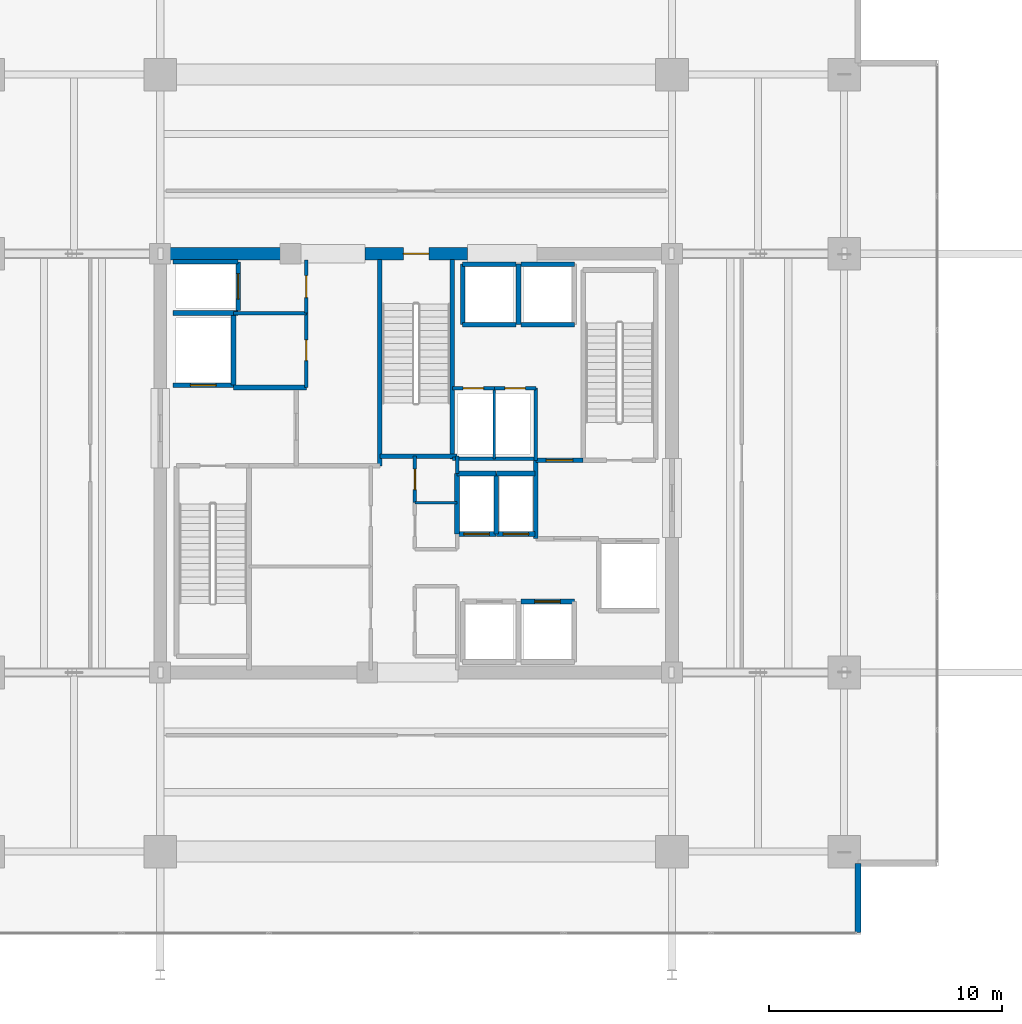
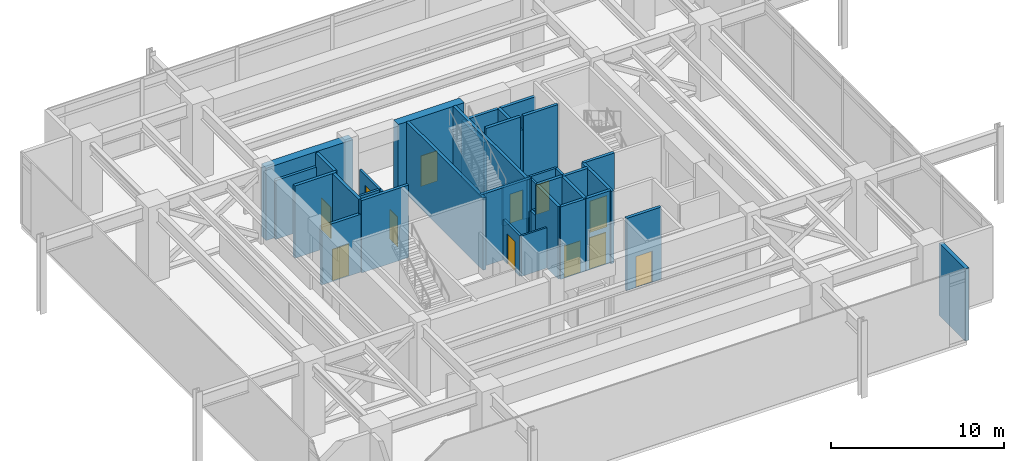
# One storey, part 19 of 21: 38 walls, 12 doors, 12 openings.
"""IFC4 building model written with IfcOpenShell, lengths in metres."""

from ifc_helpers import new_model, si_unit, direction, frame, frame_2d, origin, place, context, subcontext, project, spatial, rectangle, extrude, material, layer, layer_set, type_object, element, fill, save


model = new_model("IFC4")

# Units and contexts
model_context = context("Model", 3, precision=1e-05, world=origin(), true_north=direction((0.0, 1.0)))
body_context = subcontext(model_context, "Body", "Model", "MODEL_VIEW")
ifc_project = project(units=[si_unit("LENGTHUNIT", "METRE"), si_unit("AREAUNIT", "SQUARE_METRE"), si_unit("VOLUMEUNIT", "CUBIC_METRE"), si_unit("PLANEANGLEUNIT", "RADIAN"), si_unit("MASSUNIT", "GRAM", prefix="KILO")], contexts=[model_context])

# Site, building, storey
site_placement = place(None, origin())
site = spatial("IfcSite", under=ifc_project, at=site_placement, CompositionType="ELEMENT")
building_placement = place(site_placement, origin())
building = spatial("IfcBuilding", under=site, at=building_placement, Name="Kovane Verandah Tower", CompositionType="ELEMENT")
storey_placement = place(building_placement, frame((0.0, 0.0, 189.39990234375)))
storey = spatial("IfcBuildingStorey", under=building, at=storey_placement, Name="L44", CompositionType="ELEMENT", Elevation=189.39990234375)

# Wall
ifc_material_1 = material(Name="Fire-Rated Gypsum Stud Partition", Category="gypsum")
ifc_layer_1 = layer(ifc_material_1, 0.14990234375)
ifc_layer_set_1 = layer_set([ifc_layer_1], Name="Fire-Rated Gypsum Stud Partition")
wall_type_1 = type_object("IfcWallType", Name="WL-COR-150", PredefinedType="PARTITIONING", material=ifc_layer_set_1)
wall_1_placement = place(storey_placement, frame((41.760009765625, 27.050048828125, 0.0), z_axis=(0.0, 0.0, 1.0), x_axis=(0.0, 1.0, 0.0)))
element("IfcWall", 1, at=wall_1_placement, inside=storey, type_object=wall_type_1, Name="L44 Central Core Strip Upper East Wall", PredefinedType="PARTITIONING", context=body_context, shape_type="SweptSolid", body=[
    extrude(rectangle(XDim=0.75, YDim=0.14990234375, at=frame_2d((0.375, 0.0))), origin(), (0.0, 0.0, 1.0), 2.85009765625),
])

# Wall, opening, door
wall_2_placement = place(storey_placement, frame((39.949951171875, 25.800048828125, 0.0), z_axis=(0.0, 0.0, 1.0), x_axis=(0.0, 1.0, 0.0)))
wall_2 = element("IfcWall", 2, at=wall_2_placement, inside=storey, type_object=wall_type_1, Name="L44 Electrical Riser Room Partition", PredefinedType="PARTITIONING", context=body_context, shape_type="SweptSolid", body=[
    extrude(rectangle(XDim=2.0, YDim=0.14990234375, at=frame_2d((1.0, 0.0))), origin(), (0.0, 0.0, 1.0), 2.85009765625),
])
opening_1_placement = place(wall_2_placement, frame((0.56005859375, 0.0, 0.0)))
opening_1 = element("IfcOpeningElement", 3, at=opening_1_placement, cuts=wall_2, Name="Opening DR-L44-017", PredefinedType="OPENING", context=body_context, shape_type="SweptSolid", body=[
    extrude(rectangle(XDim=0.8798828125, YDim=2.10009765625, at=frame_2d((0.43994140625, 1.050048828125))), frame((0.0, 0.074951171875, 0.0), z_axis=(0.0, -1.0, 0.0), x_axis=(1.0, 0.0, 0.0)), (0.0, 0.0, 1.0), 0.14990234375),
])
ifc_material_2 = material(Name="Fire-Rated Steel Riser Access Door", Category="steel")
door_type_1 = type_object("IfcDoorType", Name="DR-RISER-880", OperationType="SINGLE_SWING_LEFT", PredefinedType="DOOR", material=ifc_material_2)
door_1_placement = place(opening_1_placement, origin())
door_1 = element("IfcDoor", 4, at=door_1_placement, inside=storey, type_object=door_type_1, Name="L44 Electrical Riser Room Door", OperationType="SINGLE_SWING_RIGHT", OverallHeight=2.10009765625, OverallWidth=0.8798828125, PredefinedType="DOOR", context=body_context, shape_type="SweptSolid", body=[
    extrude(rectangle(XDim=0.8798828125, YDim=2.10009765625, at=frame_2d((0.43994140625, 1.050048828125))), frame((0.0, 0.02490234375, 0.0), z_axis=(0.0, -1.0, 0.0), x_axis=(1.0, 0.0, 0.0)), (0.0, 0.0, 1.0), 0.050048828125),
])
fill(opening_1, door_1)

# Wall
wall_3_placement = place(storey_placement, frame((32.14990234375, 33.949951171875, 0.0), z_axis=(0.0, 0.0, 1.0), x_axis=(1.0, 0.0, 0.0)))
element("IfcWall", 5, at=wall_3_placement, inside=storey, type_object=wall_type_1, Name="L44 Goods Lift Lobby South Wall", PredefinedType="PARTITIONING", context=body_context, shape_type="SweptSolid", body=[
    extrude(rectangle(XDim=3.130126953125, YDim=0.14990234375, at=frame_2d((1.56494140625, 0.0))), origin(), (0.0, 0.0, 1.0), 2.85009765625),
])

# Wall, opening, door
wall_4_placement = place(storey_placement, frame((35.280029296875, 33.949951171875, 0.0), z_axis=(0.0, 0.0, 1.0), x_axis=(0.0, 1.0, 0.0)))
wall_4 = element("IfcWall", 6, at=wall_4_placement, inside=storey, type_object=wall_type_1, Name="L44 Goods Lift Lobby East Fire Partition", PredefinedType="PARTITIONING", context=body_context, shape_type="SweptSolid", body=[
    extrude(rectangle(XDim=2.27001953125, YDim=0.14990234375, at=frame_2d((1.135009765625, 0.0))), origin(), (0.0, 0.0, 1.0), 2.85009765625),
])
opening_2_placement = place(wall_4_placement, frame((0.659912109375, 0.0, 0.0)))
opening_2 = element("IfcOpeningElement", 7, at=opening_2_placement, cuts=wall_4, Name="Opening DR-L44-006", PredefinedType="OPENING", context=body_context, shape_type="SweptSolid", body=[
    extrude(rectangle(XDim=0.949951171875, YDim=2.14990234375, at=frame_2d((0.47509765625, 1.074951171875))), frame((0.0, 0.074951171875, 0.0), z_axis=(0.0, -1.0, 0.0), x_axis=(1.0, 0.0, 0.0)), (0.0, 0.0, 1.0), 0.14990234375),
])
ifc_material_3 = material(Name="Fire-Rated Steel Refuge and Lobby Door", Category="steel")
door_type_2 = type_object("IfcDoorType", Name="DR-FIRE-950", OperationType="SINGLE_SWING_LEFT", PredefinedType="DOOR", material=ifc_material_3)
door_2_placement = place(opening_2_placement, origin())
door_2 = element("IfcDoor", 8, at=door_2_placement, inside=storey, type_object=door_type_2, Name="L44 Goods Lift Lobby Fire Door", OperationType="SINGLE_SWING_LEFT", OverallHeight=2.14990234375, OverallWidth=0.949951171875, PredefinedType="DOOR", context=body_context, shape_type="SweptSolid", body=[
    extrude(rectangle(XDim=0.949951171875, YDim=2.14990234375, at=frame_2d((0.47509765625, 1.074951171875))), frame((0.0, 0.02490234375, 0.0), z_axis=(0.0, -1.0, 0.0), x_axis=(1.0, 0.0, 0.0)), (0.0, 0.0, 1.0), 0.050048828125),
])
fill(opening_2, door_2)

wall_5_placement = place(storey_placement, frame((35.280029296875, 30.75, 0.0), z_axis=(0.0, 0.0, 1.0), x_axis=(0.0, 1.0, 0.0)))
wall_5 = element("IfcWall", 9, at=wall_5_placement, inside=storey, type_object=wall_type_1, Name="L44 Accessible Unisex Toilet Partition", PredefinedType="PARTITIONING", context=body_context, shape_type="SweptSolid", body=[
    extrude(rectangle(XDim=3.199951171875, YDim=0.14990234375, at=frame_2d((1.60009765625, 0.0))), origin(), (0.0, 0.0, 1.0), 2.85009765625),
])
opening_3_placement = place(wall_5_placement, frame((1.14990234375, 0.0, 0.0)))
opening_3 = element("IfcOpeningElement", 10, at=opening_3_placement, cuts=wall_5, Name="Opening DR-L44-019", PredefinedType="OPENING", context=body_context, shape_type="SweptSolid", body=[
    extrude(rectangle(XDim=0.89990234375, YDim=2.10009765625, at=frame_2d((0.449951171875, 1.050048828125))), frame((0.0, 0.074951171875, 0.0), z_axis=(0.0, -1.0, 0.0), x_axis=(1.0, 0.0, 0.0)), (0.0, 0.0, 1.0), 0.14990234375),
])
ifc_material_4 = material(Name="Moisture-Resistant Laminate Washroom Door", Category="wood")
door_type_3 = type_object("IfcDoorType", Name="DR-WC-900", OperationType="SINGLE_SWING_LEFT", PredefinedType="DOOR", material=ifc_material_4)
door_3_placement = place(opening_3_placement, origin())
door_3 = element("IfcDoor", 11, at=door_3_placement, inside=storey, type_object=door_type_3, Name="L44 Accessible Unisex Toilet Door", OperationType="SINGLE_SWING_RIGHT", OverallHeight=2.10009765625, OverallWidth=0.89990234375, PredefinedType="DOOR", context=body_context, shape_type="SweptSolid", body=[
    extrude(rectangle(XDim=0.89990234375, YDim=2.10009765625, at=frame_2d((0.449951171875, 1.050048828125))), frame((0.0, 0.02490234375, 0.0), z_axis=(0.0, -1.0, 0.0), x_axis=(1.0, 0.0, 0.0)), (0.0, 0.0, 1.0), 0.050048828125),
])
fill(opening_3, door_3)

# Walls
wall_6_placement = place(storey_placement, frame((41.56005859375, 27.679931640625, 0.0), z_axis=(0.0, 0.0, 1.0), x_axis=(1.0, 0.0, 0.0)))
element("IfcWall", 12, at=wall_6_placement, inside=storey, type_object=wall_type_1, Name="L44 East Core Service Riser South Wall", PredefinedType="PARTITIONING", context=body_context, shape_type="SweptSolid", body=[
    extrude(rectangle(XDim=3.58984375, YDim=0.14990234375, at=frame_2d((1.794921875, 0.0))), origin(), (0.0, 0.0, 1.0), 2.85009765625),
])
wall_7_placement = place(storey_placement, frame((45.14990234375, 27.6201171875, 0.0), z_axis=(0.0, 0.0, 1.0), x_axis=(0.0, 1.0, 0.0)))
element("IfcWall", 13, at=wall_7_placement, inside=storey, type_object=wall_type_1, Name="L44 East Core Service Riser East Wall", PredefinedType="PARTITIONING", context=body_context, shape_type="SweptSolid", body=[
    extrude(rectangle(XDim=3.099853515625, YDim=0.14990234375, at=frame_2d((1.5498046875, 0.0))), origin(), (0.0, 0.0, 1.0), 2.85009765625),
])

# Wall, opening, door
wall_8_placement = place(storey_placement, frame((41.56005859375, 30.719970703125, 0.0), z_axis=(0.0, 0.0, 1.0), x_axis=(1.0, 0.0, 0.0)))
wall_8 = element("IfcWall", 14, at=wall_8_placement, inside=storey, type_object=wall_type_1, Name="L44 Chilled Water Riser Room Partition", PredefinedType="PARTITIONING", context=body_context, shape_type="SweptSolid", body=[
    extrude(rectangle(XDim=1.800048828125, YDim=0.14990234375, at=frame_2d((0.89990234375, 0.0))), origin(), (0.0, 0.0, 1.0), 2.85009765625),
])
opening_4_placement = place(wall_8_placement, frame((0.4599609375, 0.0, 0.0)))
opening_4 = element("IfcOpeningElement", 15, at=opening_4_placement, cuts=wall_8, Name="Opening DR-L44-013", PredefinedType="OPENING", context=body_context, shape_type="SweptSolid", body=[
    extrude(rectangle(XDim=0.8798828125, YDim=2.10009765625, at=frame_2d((0.43994140625, 1.050048828125))), frame((0.0, 0.074951171875, 0.0), z_axis=(0.0, -1.0, 0.0), x_axis=(1.0, 0.0, 0.0)), (0.0, 0.0, 1.0), 0.14990234375),
])
door_4_placement = place(opening_4_placement, origin())
door_4 = element("IfcDoor", 16, at=door_4_placement, inside=storey, type_object=door_type_1, Name="L44 Chilled Water Riser Room Door", OperationType="SINGLE_SWING_LEFT", OverallHeight=2.10009765625, OverallWidth=0.8798828125, PredefinedType="DOOR", context=body_context, shape_type="SweptSolid", body=[
    extrude(rectangle(XDim=0.8798828125, YDim=2.10009765625, at=frame_2d((0.43994140625, 1.050048828125))), frame((0.0, 0.02490234375, 0.0), z_axis=(0.0, -1.0, 0.0), x_axis=(1.0, 0.0, 0.0)), (0.0, 0.0, 1.0), 0.050048828125),
])
fill(opening_4, door_4)

wall_9_placement = place(storey_placement, frame((43.360107421875, 30.719970703125, 0.0), z_axis=(0.0, 0.0, 1.0), x_axis=(1.0, 0.0, 0.0)))
wall_9 = element("IfcWall", 17, at=wall_9_placement, inside=storey, type_object=wall_type_1, Name="L44 Smoke Extract Duct Room Partition", PredefinedType="PARTITIONING", context=body_context, shape_type="SweptSolid", body=[
    extrude(rectangle(XDim=1.789794921875, YDim=0.14990234375, at=frame_2d((0.89501953125, 0.0))), origin(), (0.0, 0.0, 1.0), 2.85009765625),
])
opening_5_placement = place(wall_9_placement, frame((0.455078125, 0.0, 0.0)))
opening_5 = element("IfcOpeningElement", 18, at=opening_5_placement, cuts=wall_9, Name="Opening DR-L44-014", PredefinedType="OPENING", context=body_context, shape_type="SweptSolid", body=[
    extrude(rectangle(XDim=0.8798828125, YDim=2.10009765625, at=frame_2d((0.43994140625, 1.050048828125))), frame((0.0, 0.074951171875, 0.0), z_axis=(0.0, -1.0, 0.0), x_axis=(1.0, 0.0, 0.0)), (0.0, 0.0, 1.0), 0.14990234375),
])
door_5_placement = place(opening_5_placement, origin())
door_5 = element("IfcDoor", 19, at=door_5_placement, inside=storey, type_object=door_type_1, Name="L44 Smoke Extract Duct Room Door", OperationType="SINGLE_SWING_RIGHT", OverallHeight=2.10009765625, OverallWidth=0.8798828125, PredefinedType="DOOR", context=body_context, shape_type="SweptSolid", body=[
    extrude(rectangle(XDim=0.8798828125, YDim=2.10009765625, at=frame_2d((0.43994140625, 1.050048828125))), frame((0.0, 0.02490234375, 0.0), z_axis=(0.0, -1.0, 0.0), x_axis=(1.0, 0.0, 0.0)), (0.0, 0.0, 1.0), 0.050048828125),
])
fill(opening_5, door_5)

# Wall
ifc_material_5 = material(Name="Concrete C60/75", Category="concrete")
ifc_layer_2 = layer(ifc_material_5, 0.550048828125)
ifc_layer_set_2 = layer_set([ifc_layer_2], Name="Concrete C60/75")
wall_type_2 = type_object("IfcWallType", Name="WL-CORE-550", PredefinedType="SHEAR", material=ifc_layer_set_2)
wall_10_placement = place(storey_placement, frame((29.0, 36.5, 0.0), z_axis=(0.0, 0.0, 1.0), x_axis=(1.0, 0.0, 0.0)))
element("IfcWall", 20, at=wall_10_placement, inside=storey, type_object=wall_type_2, Name="L44 Core Shear Wall CN-1", PredefinedType="SHEAR", context=body_context, shape_type="SweptSolid", body=[
    extrude(rectangle(XDim=5.800048828125, YDim=0.550048828125, at=frame_2d((2.89990234375, 0.0))), origin(), (0.0, 0.0, 1.0), 5.10009765625),
])

# Wall, opening, door
wall_11_placement = place(storey_placement, frame((37.800048828125, 36.5, 0.0), z_axis=(0.0, 0.0, 1.0), x_axis=(1.0, 0.0, 0.0)))
wall_11 = element("IfcWall", 21, at=wall_11_placement, inside=storey, type_object=wall_type_2, Name="L44 Core Shear Wall CN-2", PredefinedType="SHEAR", context=body_context, shape_type="SweptSolid", body=[
    extrude(rectangle(XDim=4.39990234375, YDim=0.550048828125, at=frame_2d((2.199951171875, 0.0))), origin(), (0.0, 0.0, 1.0), 5.10009765625),
])
opening_6_placement = place(wall_11_placement, frame((1.64990234375, 0.0, 0.0)))
opening_6 = element("IfcOpeningElement", 22, at=opening_6_placement, cuts=wall_11, Name="Opening DR-L44-009", PredefinedType="OPENING", context=body_context, shape_type="SweptSolid", body=[
    extrude(rectangle(XDim=1.10009765625, YDim=2.14990234375, at=frame_2d((0.550048828125, 1.074951171875))), frame((0.0, 0.27490234375, 0.0), z_axis=(0.0, -1.0, 0.0), x_axis=(1.0, 0.0, 0.0)), (0.0, 0.0, 1.0), 0.550048828125),
])
ifc_material_6 = material(Name="Fire-Rated Steel Exit Door", Category="steel")
door_type_4 = type_object("IfcDoorType", Name="DR-STAIR-1100", OperationType="SINGLE_SWING_LEFT", PredefinedType="DOOR", material=ifc_material_6)
door_6_placement = place(opening_6_placement, origin())
door_6 = element("IfcDoor", 23, at=door_6_placement, inside=storey, type_object=door_type_4, Name="L44 ST-03 Fire Exit Stair Door", OperationType="SINGLE_SWING_LEFT", OverallHeight=2.14990234375, OverallWidth=1.10009765625, PredefinedType="DOOR", context=body_context, shape_type="SweptSolid", body=[
    extrude(rectangle(XDim=1.10009765625, YDim=2.14990234375, at=frame_2d((0.550048828125, 1.074951171875))), frame((0.0, 0.02490234375, 0.0), z_axis=(0.0, -1.0, 0.0), x_axis=(1.0, 0.0, 0.0)), (0.0, 0.0, 1.0), 0.050048828125),
])
fill(opening_6, door_6)

# Walls
ifc_material_7 = material(Name="Concrete C45/55 Fire Wall", Category="concrete")
ifc_layer_3 = layer(ifc_material_7, 0.199951171875)
ifc_layer_set_3 = layer_set([ifc_layer_3], Name="Concrete C45/55 Fire Wall")
wall_type_3 = type_object("IfcWallType", Name="WL-FFL-200", PredefinedType="PARTITIONING", material=ifc_layer_set_3)
wall_12_placement = place(storey_placement, frame((32.14990234375, 30.75, 0.0), z_axis=(0.0, 0.0, 1.0), x_axis=(1.0, 0.0, 0.0)))
element("IfcWall", 24, at=wall_12_placement, inside=storey, type_object=wall_type_3, Name="L44 West Firefighting Lobby North Fire Wall", PredefinedType="PARTITIONING", context=body_context, shape_type="SweptSolid", body=[
    extrude(rectangle(XDim=3.130126953125, YDim=0.199951171875, at=frame_2d((1.56494140625, 0.0))), origin(), (0.0, 0.0, 1.0), 5.10009765625),
])
wall_13_placement = place(storey_placement, frame((45.14990234375, 24.25, 0.0), z_axis=(0.0, 0.0, 1.0), x_axis=(0.0, 1.0, 0.0)))
element("IfcWall", 25, at=wall_13_placement, inside=storey, type_object=wall_type_3, Name="L44 East Firefighting Lobby West Fire Wall", PredefinedType="PARTITIONING", context=body_context, shape_type="SweptSolid", body=[
    extrude(rectangle(XDim=3.3701171875, YDim=0.199951171875, at=frame_2d((1.68505859375, 0.0))), origin(), (0.0, 0.0, 1.0), 5.10009765625),
])

# Wall, opening, door
wall_14_placement = place(storey_placement, frame((45.14990234375, 27.6201171875, 0.0), z_axis=(0.0, 0.0, 1.0), x_axis=(1.0, 0.0, 0.0)))
wall_14 = element("IfcWall", 26, at=wall_14_placement, inside=storey, type_object=wall_type_3, Name="W-L44-FFLE-N", PredefinedType="PARTITIONING", context=body_context, shape_type="SweptSolid", body=[
    extrude(rectangle(XDim=2.030029296875, YDim=0.199951171875, at=frame_2d((1.01513671875, 0.0))), origin(), (0.0, 0.0, 1.0), 5.10009765625),
])
opening_7_placement = place(wall_14_placement, frame((0.43994140625, 0.0, 0.0)))
opening_7 = element("IfcOpeningElement", 27, at=opening_7_placement, cuts=wall_14, Name="Opening DR-L44-002", PredefinedType="OPENING", context=body_context, shape_type="SweptSolid", body=[
    extrude(rectangle(XDim=1.14990234375, YDim=2.199951171875, at=frame_2d((0.574951171875, 1.10009765625))), frame((0.0, 0.10009765625, 0.0), z_axis=(0.0, -1.0, 0.0), x_axis=(1.0, 0.0, 0.0)), (0.0, 0.0, 1.0), 0.199951171875),
])
ifc_material_8 = material(Name="Smoke-Sealed Firefighting Lobby Door", Category="steel")
door_type_5 = type_object("IfcDoorType", Name="DR-FFL-1150", OperationType="SINGLE_SWING_LEFT", PredefinedType="DOOR", material=ifc_material_8)
door_7_placement = place(opening_7_placement, origin())
door_7 = element("IfcDoor", 28, at=door_7_placement, inside=storey, type_object=door_type_5, Name="L44 East Firefighting Lobby Shuttle Link Door", OperationType="SINGLE_SWING_LEFT", OverallHeight=2.199951171875, OverallWidth=1.14990234375, PredefinedType="DOOR", context=body_context, shape_type="SweptSolid", body=[
    extrude(rectangle(XDim=1.14990234375, YDim=2.199951171875, at=frame_2d((0.574951171875, 1.10009765625))), frame((0.0, 0.02490234375, 0.0), z_axis=(0.0, -1.0, 0.0), x_axis=(1.0, 0.0, 0.0)), (0.0, 0.0, 1.0), 0.050048828125),
])
fill(opening_7, door_7)

ifc_material_9 = material(Name="Concrete C45/55 Lift Shaft Wall", Category="concrete")
ifc_layer_4 = layer(ifc_material_9, 0.199951171875)
ifc_layer_set_4 = layer_set([ifc_layer_4], Name="Concrete C45/55 Lift Shaft Wall")
wall_type_4 = type_object("IfcWallType", Name="WL-LIFT-200", PredefinedType="SOLIDWALL", material=ifc_layer_set_4)
wall_15_placement = place(storey_placement, frame((29.550048828125, 30.85009765625, 0.0), z_axis=(0.0, 0.0, 1.0), x_axis=(1.0, 0.0, 0.0)))
wall_15 = element("IfcWall", 29, at=wall_15_placement, inside=storey, type_object=wall_type_4, Name="L44 Lift FL-01 S Shaft Wall", PredefinedType="SOLIDWALL", context=body_context, shape_type="SweptSolid", body=[
    extrude(rectangle(XDim=2.599853515625, YDim=0.199951171875, at=frame_2d((1.2998046875, 0.0))), origin(), (0.0, 0.0, 1.0), 4.080078125),
])
opening_8_placement = place(wall_15_placement, frame((0.75, 0.0, 0.0)))
opening_8 = element("IfcOpeningElement", 30, at=opening_8_placement, cuts=wall_15, Name="Opening LD-L44-001", PredefinedType="OPENING", context=body_context, shape_type="SweptSolid", body=[
    extrude(rectangle(XDim=1.10009765625, YDim=2.199951171875, at=frame_2d((0.550048828125, 1.10009765625))), frame((0.0, 0.10009765625, 0.0), z_axis=(0.0, -1.0, 0.0), x_axis=(1.0, 0.0, 0.0)), (0.0, 0.0, 1.0), 0.199951171875),
])
ifc_material_10 = material(Name="Brushed Stainless Steel Sliding Lift Landing Door", Category="steel")
door_type_6 = type_object("IfcDoorType", Name="DR-LIFT-1100", OperationType="SLIDING_TO_RIGHT", PredefinedType="DOOR", material=ifc_material_10)
door_8_placement = place(opening_8_placement, origin())
door_8 = element("IfcDoor", 31, at=door_8_placement, inside=storey, type_object=door_type_6, Name="L44 Lift FL-01 Sliding Landing Door", OperationType="SLIDING_TO_RIGHT", OverallHeight=2.199951171875, OverallWidth=1.10009765625, PredefinedType="DOOR", context=body_context, shape_type="SweptSolid", body=[
    extrude(rectangle(XDim=1.10009765625, YDim=2.199951171875, at=frame_2d((0.550048828125, 1.10009765625))), frame((0.0, 0.02490234375, 0.0), z_axis=(0.0, -1.0, 0.0), x_axis=(1.0, 0.0, 0.0)), (0.0, 0.0, 1.0), 0.050048828125),
])
fill(opening_8, door_8)

# Walls
wall_16_placement = place(storey_placement, frame((29.550048828125, 33.949951171875, 0.0), z_axis=(0.0, 0.0, 1.0), x_axis=(1.0, 0.0, 0.0)))
element("IfcWall", 32, at=wall_16_placement, inside=storey, type_object=wall_type_4, Name="L44 Lift FL-01 and GL-01 Shared Shaft Wall", PredefinedType="SOLIDWALL", context=body_context, shape_type="SweptSolid", body=[
    extrude(rectangle(XDim=2.800048828125, YDim=0.199951171875, at=frame_2d((1.39990234375, 0.0))), origin(), (0.0, 0.0, 1.0), 5.10009765625),
])
wall_17_placement = place(storey_placement, frame((32.14990234375, 30.85009765625, 0.0), z_axis=(0.0, 0.0, 1.0), x_axis=(0.0, 1.0, 0.0)))
element("IfcWall", 33, at=wall_17_placement, inside=storey, type_object=wall_type_4, Name="L44 Lift FL-01 E Shaft Wall", PredefinedType="SOLIDWALL", context=body_context, shape_type="SweptSolid", body=[
    extrude(rectangle(XDim=3.0, YDim=0.199951171875, at=frame_2d((1.5, 0.0))), origin(), (0.0, 0.0, 1.0), 5.10009765625),
])
wall_18_placement = place(storey_placement, frame((32.35009765625, 36.14990234375, 0.0), z_axis=(0.0, 0.0, 1.0), x_axis=(-1.0, 0.0, 0.0)))
element("IfcWall", 34, at=wall_18_placement, inside=storey, type_object=wall_type_4, Name="L44 Lift GL-01 N Shaft Wall", PredefinedType="SOLIDWALL", context=body_context, shape_type="SweptSolid", body=[
    extrude(rectangle(XDim=2.800048828125, YDim=0.199951171875, at=frame_2d((1.39990234375, 0.0))), origin(), (0.0, 0.0, 1.0), 4.153564453125),
])

# Wall, opening, door
wall_19_placement = place(storey_placement, frame((32.35009765625, 34.050048828125, 0.0), z_axis=(0.0, 0.0, 1.0), x_axis=(0.0, 1.0, 0.0)))
wall_19 = element("IfcWall", 35, at=wall_19_placement, inside=storey, type_object=wall_type_4, Name="L44 Lift GL-01 E Shaft Wall", PredefinedType="SOLIDWALL", context=body_context, shape_type="SweptSolid", body=[
    extrude(rectangle(XDim=2.099853515625, YDim=0.199951171875, at=frame_2d((1.0498046875, 0.0))), origin(), (0.0, 0.0, 1.0), 5.10009765625),
])
opening_9_placement = place(wall_19_placement, frame((0.5, 0.0, 0.0)))
opening_9 = element("IfcOpeningElement", 36, at=opening_9_placement, cuts=wall_19, Name="Opening LD-L44-003", PredefinedType="OPENING", context=body_context, shape_type="SweptSolid", body=[
    extrude(rectangle(XDim=1.10009765625, YDim=2.199951171875, at=frame_2d((0.550048828125, 1.10009765625))), frame((0.0, 0.10009765625, 0.0), z_axis=(0.0, -1.0, 0.0), x_axis=(1.0, 0.0, 0.0)), (0.0, 0.0, 1.0), 0.199951171875),
])
door_9_placement = place(opening_9_placement, origin())
door_9 = element("IfcDoor", 37, at=door_9_placement, inside=storey, type_object=door_type_6, Name="L44 Lift GL-01 Sliding Landing Door", OperationType="SLIDING_TO_RIGHT", OverallHeight=2.199951171875, OverallWidth=1.10009765625, PredefinedType="DOOR", context=body_context, shape_type="SweptSolid", body=[
    extrude(rectangle(XDim=1.10009765625, YDim=2.199951171875, at=frame_2d((0.550048828125, 1.10009765625))), frame((0.0, 0.02490234375, 0.0), z_axis=(0.0, -1.0, 0.0), x_axis=(1.0, 0.0, 0.0)), (0.0, 0.0, 1.0), 0.050048828125),
])
fill(opening_9, door_9)

wall_20_placement = place(storey_placement, frame((46.800048828125, 21.550048828125, 0.0), z_axis=(0.0, 0.0, 1.0), x_axis=(-1.0, 0.0, 0.0)))
wall_20 = element("IfcWall", 38, at=wall_20_placement, inside=storey, type_object=wall_type_4, Name="L44 Lift PL-M2 N Shaft Wall", PredefinedType="SOLIDWALL", context=body_context, shape_type="SweptSolid", body=[
    extrude(rectangle(XDim=2.300048828125, YDim=0.199951171875, at=frame_2d((1.14990234375, 0.0))), origin(), (0.0, 0.0, 1.0), 5.10009765625),
])
opening_10_placement = place(wall_20_placement, frame((0.60009765625, 0.0, 0.0)))
opening_10 = element("IfcOpeningElement", 39, at=opening_10_placement, cuts=wall_20, Name="Opening LD-L44-005", PredefinedType="OPENING", context=body_context, shape_type="SweptSolid", body=[
    extrude(rectangle(XDim=1.10009765625, YDim=2.199951171875, at=frame_2d((0.550048828125, 1.10009765625))), frame((0.0, 0.10009765625, 0.0), z_axis=(0.0, -1.0, 0.0), x_axis=(1.0, 0.0, 0.0)), (0.0, 0.0, 1.0), 0.199951171875),
])
door_10_placement = place(opening_10_placement, origin())
door_10 = element("IfcDoor", 40, at=door_10_placement, inside=storey, type_object=door_type_6, Name="L44 Lift PL-M2 Sliding Landing Door", OperationType="SLIDING_TO_RIGHT", OverallHeight=2.199951171875, OverallWidth=1.10009765625, PredefinedType="DOOR", context=body_context, shape_type="SweptSolid", body=[
    extrude(rectangle(XDim=1.10009765625, YDim=2.199951171875, at=frame_2d((0.550048828125, 1.10009765625))), frame((0.0, 0.02490234375, 0.0), z_axis=(0.0, -1.0, 0.0), x_axis=(1.0, 0.0, 0.0)), (0.0, 0.0, 1.0), 0.050048828125),
])
fill(opening_10, door_10)

wall_21_placement = place(storey_placement, frame((41.760009765625, 24.449951171875, 0.0), z_axis=(0.0, 0.0, 1.0), x_axis=(1.0, 0.0, 0.0)))
wall_21 = element("IfcWall", 41, at=wall_21_placement, inside=storey, type_object=wall_type_4, Name="L44 Lift PL-M3 S Shaft Wall", PredefinedType="SOLIDWALL", context=body_context, shape_type="SweptSolid", body=[
    extrude(rectangle(XDim=1.679931640625, YDim=0.199951171875, at=frame_2d((0.83984375, 0.0))), origin(), (0.0, 0.0, 1.0), 5.10009765625),
])
opening_11_placement = place(wall_21_placement, frame((0.2900390625, 0.0, 0.0)))
opening_11 = element("IfcOpeningElement", 42, at=opening_11_placement, cuts=wall_21, Name="Opening LD-L44-006", PredefinedType="OPENING", context=body_context, shape_type="SweptSolid", body=[
    extrude(rectangle(XDim=1.10009765625, YDim=2.199951171875, at=frame_2d((0.550048828125, 1.10009765625))), frame((0.0, 0.10009765625, 0.0), z_axis=(0.0, -1.0, 0.0), x_axis=(1.0, 0.0, 0.0)), (0.0, 0.0, 1.0), 0.199951171875),
])
door_11_placement = place(opening_11_placement, origin())
door_11 = element("IfcDoor", 43, at=door_11_placement, inside=storey, type_object=door_type_6, Name="L44 Lift PL-M3 Sliding Landing Door", OperationType="SLIDING_TO_RIGHT", OverallHeight=2.199951171875, OverallWidth=1.10009765625, PredefinedType="DOOR", context=body_context, shape_type="SweptSolid", body=[
    extrude(rectangle(XDim=1.10009765625, YDim=2.199951171875, at=frame_2d((0.550048828125, 1.10009765625))), frame((0.0, 0.02490234375, 0.0), z_axis=(0.0, -1.0, 0.0), x_axis=(1.0, 0.0, 0.0)), (0.0, 0.0, 1.0), 0.050048828125),
])
fill(opening_11, door_11)

# Walls
wall_22_placement = place(storey_placement, frame((43.43994140625, 27.050048828125, 0.0), z_axis=(0.0, 0.0, 1.0), x_axis=(-1.0, 0.0, 0.0)))
element("IfcWall", 44, at=wall_22_placement, inside=storey, type_object=wall_type_4, Name="L44 Lift PL-M3 N Shaft Wall", PredefinedType="SOLIDWALL", context=body_context, shape_type="SweptSolid", body=[
    extrude(rectangle(XDim=1.679931640625, YDim=0.199951171875, at=frame_2d((0.83984375, 0.0))), origin(), (0.0, 0.0, 1.0), 5.10009765625),
])
for number, where, z_axis, x_axis, name in (
    (45, (41.760009765625, 27.050048828125, 0.0), (0.0, 0.0, 1.0), (0.0, -1.0, 0.0), "L44 Lift PL-M3 W Shaft Wall"),
    (46, (43.449951171875, 24.449951171875, 0.0), (0.0, 0.0, 1.0), (0.0, 1.0, 0.0), "L44 Lift PL-M3 and PL-M4 Shared Shaft Wall"),
):
    element("IfcWall", number, at=place(storey_placement, frame(where, z_axis=z_axis, x_axis=x_axis)), inside=storey, type_object=wall_type_4, Name=name, PredefinedType="SOLIDWALL", context=body_context, shape_type="SweptSolid", body=[
        extrude(rectangle(XDim=2.60009765625, YDim=0.199951171875, at=frame_2d((1.300048828125, 0.0))), origin(), (0.0, 0.0, 1.0), 5.10009765625),
    ])

# Wall, opening, door
wall_23_placement = place(storey_placement, frame((43.4599609375, 24.449951171875, 0.0), z_axis=(0.0, 0.0, 1.0), x_axis=(1.0, 0.0, 0.0)))
wall_23 = element("IfcWall", 47, at=wall_23_placement, inside=storey, type_object=wall_type_4, Name="L44 Lift PL-M4 S Shaft Wall", PredefinedType="SOLIDWALL", context=body_context, shape_type="SweptSolid", body=[
    extrude(rectangle(XDim=1.66015625, YDim=0.199951171875, at=frame_2d((0.830078125, 0.0))), origin(), (0.0, 0.0, 1.0), 5.10009765625),
])
opening_12_placement = place(wall_23_placement, frame((0.280029296875, 0.0, 0.0)))
opening_12 = element("IfcOpeningElement", 48, at=opening_12_placement, cuts=wall_23, Name="Opening LD-L44-007", PredefinedType="OPENING", context=body_context, shape_type="SweptSolid", body=[
    extrude(rectangle(XDim=1.10009765625, YDim=2.199951171875, at=frame_2d((0.550048828125, 1.10009765625))), frame((0.0, 0.10009765625, 0.0), z_axis=(0.0, -1.0, 0.0), x_axis=(1.0, 0.0, 0.0)), (0.0, 0.0, 1.0), 0.199951171875),
])
door_12_placement = place(opening_12_placement, origin())
door_12 = element("IfcDoor", 49, at=door_12_placement, inside=storey, type_object=door_type_6, Name="L44 Lift PL-M4 Sliding Landing Door", OperationType="SLIDING_TO_RIGHT", OverallHeight=2.199951171875, OverallWidth=1.10009765625, PredefinedType="DOOR", context=body_context, shape_type="SweptSolid", body=[
    extrude(rectangle(XDim=1.10009765625, YDim=2.199951171875, at=frame_2d((0.550048828125, 1.10009765625))), frame((0.0, 0.02490234375, 0.0), z_axis=(0.0, -1.0, 0.0), x_axis=(1.0, 0.0, 0.0)), (0.0, 0.0, 1.0), 0.050048828125),
])
fill(opening_12, door_12)

# Walls
wall_24_placement = place(storey_placement, frame((45.1201171875, 27.050048828125, 0.0), z_axis=(0.0, 0.0, 1.0), x_axis=(-1.0, 0.0, 0.0)))
element("IfcWall", 50, at=wall_24_placement, inside=storey, type_object=wall_type_4, Name="L44 Lift PL-M4 N Shaft Wall", PredefinedType="SOLIDWALL", context=body_context, shape_type="SweptSolid", body=[
    extrude(rectangle(XDim=1.66015625, YDim=0.199951171875, at=frame_2d((0.830078125, 0.0))), origin(), (0.0, 0.0, 1.0), 5.10009765625),
])
wall_25_placement = place(storey_placement, frame((42.0, 33.449951171875, 0.0), z_axis=(0.0, 0.0, 1.0), x_axis=(1.0, 0.0, 0.0)))
element("IfcWall", 51, at=wall_25_placement, inside=storey, type_object=wall_type_4, Name="L44 Lift SL-01 S Shaft Wall", PredefinedType="SOLIDWALL", context=body_context, shape_type="SweptSolid", body=[
    extrude(rectangle(XDim=2.300048828125, YDim=0.199951171875, at=frame_2d((1.14990234375, 0.0))), origin(), (0.0, 0.0, 1.0), 5.10009765625),
])
wall_26_placement = place(storey_placement, frame((44.300048828125, 36.050048828125, 0.0), z_axis=(0.0, 0.0, 1.0), x_axis=(-1.0, 0.0, 0.0)))
element("IfcWall", 52, at=wall_26_placement, inside=storey, type_object=wall_type_4, Name="L44 Lift SL-01 N Shaft Wall", PredefinedType="SOLIDWALL", context=body_context, shape_type="SweptSolid", body=[
    extrude(rectangle(XDim=2.300048828125, YDim=0.199951171875, at=frame_2d((1.14990234375, 0.0))), origin(), (0.0, 0.0, 1.0), 4.080078125),
])
for number, where, z_axis, x_axis, name in (
    (53, (42.0, 36.050048828125, 0.0), (0.0, 0.0, 1.0), (0.0, -1.0, 0.0), "L44 Lift SL-01 W Shaft Wall"),
    (54, (44.39990234375, 33.449951171875, 0.0), (0.0, 0.0, 1.0), (0.0, 1.0, 0.0), "L44 Lift OL-01 and SL-01 Shared Shaft Wall"),
):
    element("IfcWall", number, at=place(storey_placement, frame(where, z_axis=z_axis, x_axis=x_axis)), inside=storey, type_object=wall_type_4, Name=name, PredefinedType="SOLIDWALL", context=body_context, shape_type="SweptSolid", body=[
        extrude(rectangle(XDim=2.60009765625, YDim=0.199951171875, at=frame_2d((1.300048828125, 0.0))), origin(), (0.0, 0.0, 1.0), 4.080078125),
    ])
wall_27_placement = place(storey_placement, frame((44.5, 33.449951171875, 0.0), z_axis=(0.0, 0.0, 1.0), x_axis=(1.0, 0.0, 0.0)))
element("IfcWall", 55, at=wall_27_placement, inside=storey, type_object=wall_type_4, Name="L44 Lift OL-01 S Shaft Wall", PredefinedType="SOLIDWALL", context=body_context, shape_type="SweptSolid", body=[
    extrude(rectangle(XDim=2.300048828125, YDim=0.199951171875, at=frame_2d((1.14990234375, 0.0))), origin(), (0.0, 0.0, 1.0), 5.10009765625),
])
wall_28_placement = place(storey_placement, frame((46.800048828125, 36.050048828125, 0.0), z_axis=(0.0, 0.0, 1.0), x_axis=(-1.0, 0.0, 0.0)))
element("IfcWall", 56, at=wall_28_placement, inside=storey, type_object=wall_type_4, Name="L44 Lift OL-01 N Shaft Wall", PredefinedType="SOLIDWALL", context=body_context, shape_type="SweptSolid", body=[
    extrude(rectangle(XDim=2.300048828125, YDim=0.199951171875, at=frame_2d((1.14990234375, 0.0))), origin(), (0.0, 0.0, 1.0), 4.080078125),
])
ifc_material_11 = material(Name="Acoustic Fire-Rated Gypsum Partition", Category="gypsum")
ifc_layer_5 = layer(ifc_material_11, 0.1201171875)
ifc_layer_set_5 = layer_set([ifc_layer_5], Name="Acoustic Fire-Rated Gypsum Partition")
wall_type_5 = type_object("IfcWallType", Name="WL-PART-120", PredefinedType="PARTITIONING", material=ifc_layer_set_5)
wall_29_placement = place(storey_placement, frame((39.949951171875, 25.800048828125, 0.0), z_axis=(0.0, 0.0, 1.0), x_axis=(1.0, 0.0, 0.0)))
element("IfcWall", 57, at=wall_29_placement, inside=storey, type_object=wall_type_5, Name="L44 Central Core Strip Upper Dividing Partition", PredefinedType="PARTITIONING", context=body_context, shape_type="SweptSolid", body=[
    extrude(rectangle(XDim=1.81005859375, YDim=0.1201171875, at=frame_2d((0.905029296875, 0.0))), origin(), (0.0, 0.0, 1.0), 2.85009765625),
])
wall_30_placement = place(storey_placement, frame((43.360107421875, 27.679931640625, 0.0), z_axis=(0.0, 0.0, 1.0), x_axis=(0.0, 1.0, 0.0)))
element("IfcWall", 58, at=wall_30_placement, inside=storey, type_object=wall_type_5, Name="L44 Service Riser Dividing Partition", PredefinedType="PARTITIONING", context=body_context, shape_type="SweptSolid", body=[
    extrude(rectangle(XDim=3.0400390625, YDim=0.1201171875, at=frame_2d((1.52001953125, 0.0))), origin(), (0.0, 0.0, 1.0), 2.85009765625),
])
ifc_material_12 = material(Name="Concrete C45/55", Category="concrete")
ifc_layer_6 = layer(ifc_material_12, 0.199951171875)
ifc_layer_set_6 = layer_set([ifc_layer_6], Name="Concrete C45/55")
wall_type_6 = type_object("IfcWallType", Name="WL-SHAFT-200", PredefinedType="SOLIDWALL", material=ifc_layer_set_6)
wall_31_placement = place(storey_placement, frame((38.43994140625, 27.3798828125, 0.0), z_axis=(0.0, 0.0, 1.0), x_axis=(0.0, 1.0, 0.0)))
element("IfcWall", 59, at=wall_31_placement, inside=storey, type_object=wall_type_6, Name="W-L44-ST03-W", PredefinedType="SOLIDWALL", context=body_context, shape_type="SweptSolid", body=[
    extrude(rectangle(XDim=8.8701171875, YDim=0.199951171875, at=frame_2d((4.43505859375, 0.0))), origin(), (0.0, 0.0, 1.0), 5.10009765625),
])
wall_32_placement = place(storey_placement, frame((41.56005859375, 27.679931640625, 0.0), z_axis=(0.0, 0.0, 1.0), x_axis=(0.0, 1.0, 0.0)))
element("IfcWall", 60, at=wall_32_placement, inside=storey, type_object=wall_type_6, Name="W-L44-ST03-E", PredefinedType="SOLIDWALL", context=body_context, shape_type="SweptSolid", body=[
    extrude(rectangle(XDim=8.570068359375, YDim=0.199951171875, at=frame_2d((4.28515625, 0.0))), origin(), (0.0, 0.0, 1.0), 5.10009765625),
])
wall_33_placement = place(storey_placement, frame((38.43994140625, 27.800048828125, 0.0), z_axis=(0.0, 0.0, 1.0), x_axis=(1.0, 0.0, 0.0)))
element("IfcWall", 61, at=wall_33_placement, inside=storey, type_object=wall_type_6, Name="W-L44-ST03-S", PredefinedType="SOLIDWALL", context=body_context, shape_type="SweptSolid", body=[
    extrude(rectangle(XDim=3.320068359375, YDim=0.199951171875, at=frame_2d((1.66015625, 0.0))), origin(), (0.0, 0.0, 1.0), 5.10009765625),
])
ifc_material_13 = material(Name="Concrete C45/55 Insulated Spandrel Wall", Category="concrete")
ifc_layer_7 = layer(ifc_material_13, 0.260009765625)
ifc_layer_set_7 = layer_set([ifc_layer_7], Name="Concrete C45/55 Insulated Spandrel Wall")
wall_type_7 = type_object("IfcWallType", Name="WL-SPANDREL-260", PredefinedType="PARAPET", material=ifc_layer_set_7)
wall_34_placement = place(storey_placement, frame((59.0, 7.300048828125, 0.0), z_axis=(0.0, 0.0, 1.0), x_axis=(0.0, 1.0, 0.0)))
element("IfcWall", 62, at=wall_34_placement, inside=storey, type_object=wall_type_7, Name="L44 SE Notch Cheek Wall 1", PredefinedType="PARAPET", context=body_context, shape_type="SweptSolid", body=[
    extrude(rectangle(XDim=3.0, YDim=0.260009765625, at=frame_2d((1.5, 0.0))), origin(), (0.0, 0.0, 1.0), 5.10009765625),
])

save(model, "model.ifc")
